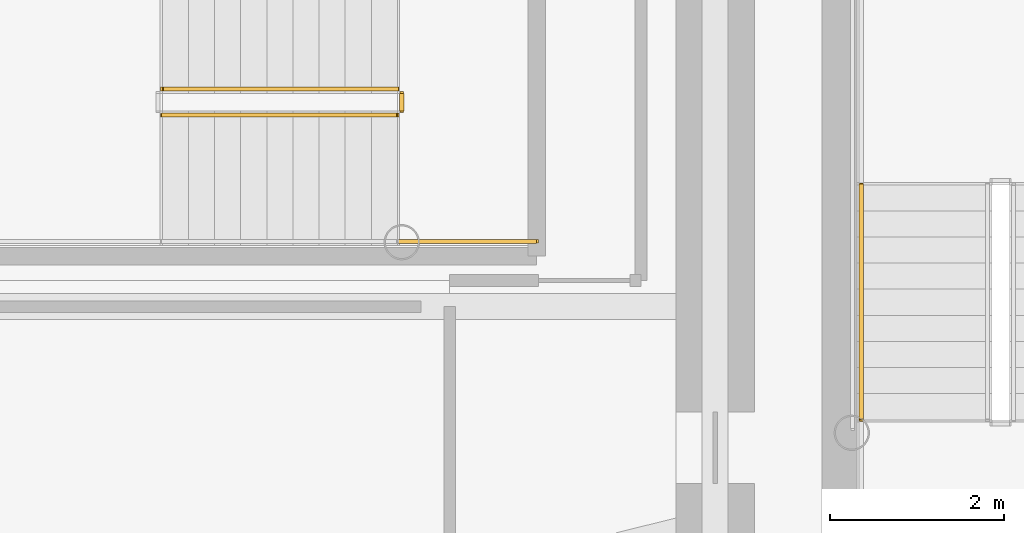
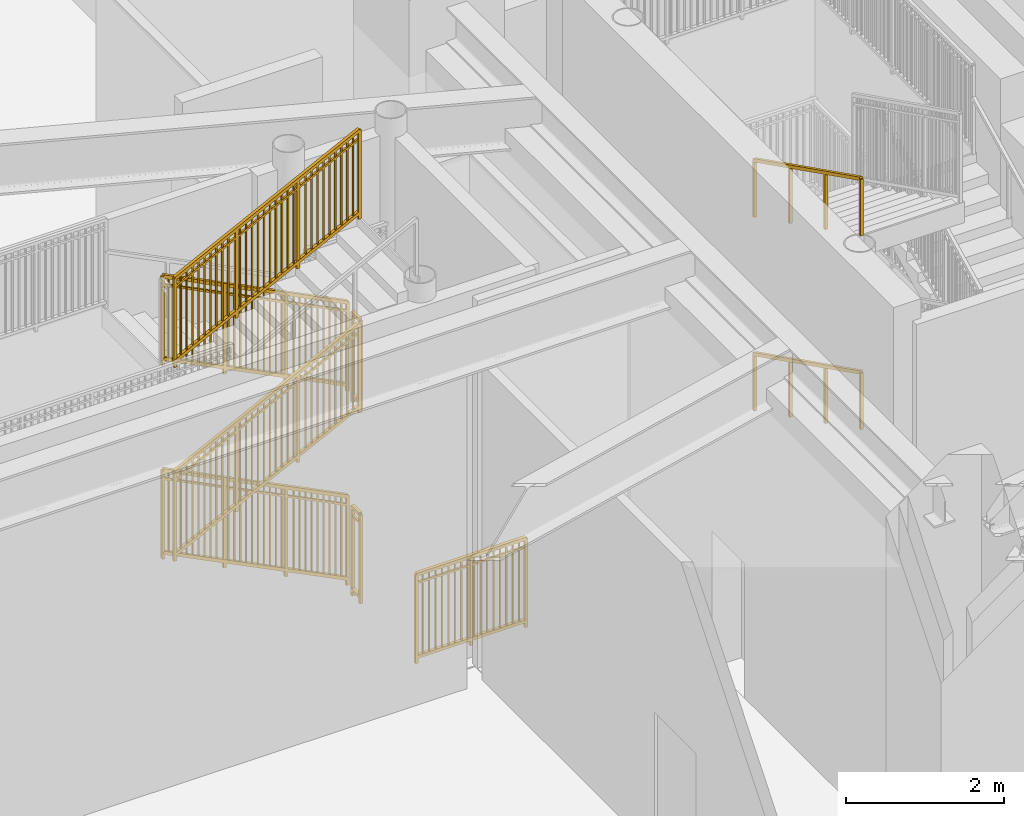
# One storey, part 35 of 46: 9 railings.
"""IFC4 building model written with IfcOpenShell, lengths in metres."""

from ifc_helpers import new_model, si_unit, direction, frame, origin, origin_2d, place, context, subcontext, project, spatial, rectangle, extrude, source, transform, mapped, material, type_object, element, save


model = new_model("IFC4")

# Units and contexts
model_context = context("Model", 3, precision=1e-05, world=origin(), true_north=direction((0.0, 1.0)))
body_context = subcontext(model_context, "Body", "Model", "MODEL_VIEW")
ifc_project = project(units=[si_unit("LENGTHUNIT", "METRE"), si_unit("AREAUNIT", "SQUARE_METRE"), si_unit("VOLUMEUNIT", "CUBIC_METRE"), si_unit("PLANEANGLEUNIT", "RADIAN"), si_unit("MASSUNIT", "GRAM", prefix="KILO")], contexts=[model_context])

# Site, building, storey
site_placement = place(None, origin())
site = spatial("IfcSite", under=ifc_project, at=site_placement, CompositionType="ELEMENT")
building_placement = place(site_placement, origin())
building = spatial("IfcBuilding", under=site, at=building_placement, Name="Linh Dai School and Residence Tower", CompositionType="ELEMENT")
storey_placement = place(building_placement, origin())
storey = spatial("IfcBuildingStorey", under=building, at=storey_placement, Name="L00", CompositionType="ELEMENT", Elevation=0.0)

# Railings
ifc_material_1 = material(Name="Brushed Stainless Steel Handrail", Category="steel")
railing_type_1 = type_object("IfcRailingType", Name="RL-ST-HANDRAIL-900", PredefinedType="HANDRAIL", material=ifc_material_1)
shared_shape_1 = source(origin(), body_context, "Body", "SweptSolid", [
    extrude(rectangle(XDim=0.048095703125, YDim=0.048095703125, at=origin_2d()), frame((0.0, 0.0, 0.8759765625), z_axis=(0.0, -0.894411015155, 0.447245945728), x_axis=(1.0, 0.0, 0.0)), (0.0, 0.0, 1.0), 3.018798828125),
    extrude(rectangle(XDim=0.0419921875, YDim=0.0419921875, at=origin_2d()), origin(), (0.0, 0.0, 1.0), 0.8759765625),
    extrude(rectangle(XDim=0.0419921875, YDim=0.0419921875, at=origin_2d()), frame((0.0, -0.89990234375, 0.449951171875)), (0.0, 0.0, 1.0), 0.8759765625),
    extrude(rectangle(XDim=0.0419921875, YDim=0.0419921875, at=origin_2d()), frame((0.0, -1.800048828125, 0.900146484375)), (0.0, 0.0, 1.0), 0.8759765625),
    extrude(rectangle(XDim=0.0419921875, YDim=0.0419921875, at=origin_2d()), frame((0.0, -2.699951171875, 1.35009765625)), (0.0, 0.0, 1.0), 0.8759765625),
])
for number, where, name in (
    (1, (27.72998046875, 28.39990234375, 1.64990234375), "L00 ST1 stair handrail 2"),
    (2, (27.72998046875, 28.39990234375, 4.64990234375), "L00 ST1 stair handrail 4"),
):
    element("IfcRailing", number, at=place(storey_placement, frame(where)), inside=storey, type_object=railing_type_1, Name=name, PredefinedType="HANDRAIL", context=body_context, shape_type="MappedRepresentation", body=[
        mapped(shared_shape_1, transform((0.0, 0.0, 0.0), x_axis=(1.0, 0.0, 0.0), y_axis=(0.0, 1.0, 0.0), z_axis=(0.0, 0.0, 1.0), scale=1.0)),
    ])
ifc_material_2 = material(Name="Structural Steel S355JR", Category="steel")
railing_type_2 = type_object("IfcRailingType", Name="RL-ST-GUARD-1400", PredefinedType="GUARDRAIL", material=ifc_material_2)
shared_shape_2 = source(origin(), body_context, "Body", "SweptSolid", [
    extrude(rectangle(XDim=0.048095703125, YDim=0.048095703125, at=origin_2d()), frame((0.0, 0.0, 1.3759765625), z_axis=(-0.894411015155, 0.0, 0.447245945728), x_axis=(0.0, -1.0, 0.0)), (0.0, 0.0, 1.0), 3.018798828125),
    extrude(rectangle(XDim=0.048095703125, YDim=0.048095703125, at=origin_2d()), frame((0.0, 0.0, 0.10009765625), z_axis=(-0.894411015155, 0.0, 0.447245945728), x_axis=(0.0, -1.0, 0.0)), (0.0, 0.0, 1.0), 3.018798828125),
    extrude(rectangle(XDim=0.030029296875, YDim=0.030029296875, at=origin_2d()), frame((0.0, 0.0, 1.239990234375), z_axis=(-0.894411015155, 0.0, 0.447245945728), x_axis=(0.0, -1.0, 0.0)), (0.0, 0.0, 1.0), 3.018798828125),
    extrude(rectangle(XDim=0.02001953125, YDim=0.02001953125, at=origin_2d()), frame((-0.087158203125, 0.0, 0.1435546875)), (0.0, 0.0, 1.0), 1.251708984375),
    extrude(rectangle(XDim=0.02001953125, YDim=0.02001953125, at=origin_2d()), frame((-0.174072265625, 0.0, 0.187255859375)), (0.0, 0.0, 1.0), 1.251708984375),
    extrude(rectangle(XDim=0.02001953125, YDim=0.02001953125, at=origin_2d()), frame((-0.26123046875, 0.0, 0.230712890625)), (0.0, 0.0, 1.0), 1.251708984375),
    extrude(rectangle(XDim=0.02001953125, YDim=0.02001953125, at=origin_2d()), frame((-0.348388671875, 0.0, 0.2744140625)), (0.0, 0.0, 1.0), 1.251708984375),
    extrude(rectangle(XDim=0.02001953125, YDim=0.02001953125, at=origin_2d()), frame((-0.435546875, 0.0, 0.31787109375)), (0.0, 0.0, 1.0), 1.251708984375),
    extrude(rectangle(XDim=0.02001953125, YDim=0.02001953125, at=origin_2d()), frame((-0.5224609375, 0.0, 0.361328125)), (0.0, 0.0, 1.0), 1.251708984375),
    extrude(rectangle(XDim=0.02001953125, YDim=0.02001953125, at=origin_2d()), frame((-0.609619140625, 0.0, 0.405029296875)), (0.0, 0.0, 1.0), 1.251708984375),
    extrude(rectangle(XDim=0.02001953125, YDim=0.02001953125, at=origin_2d()), frame((-0.69677734375, 0.0, 0.448486328125)), (0.0, 0.0, 1.0), 1.251708984375),
    extrude(rectangle(XDim=0.02001953125, YDim=0.02001953125, at=origin_2d()), frame((-0.783935546875, 0.0, 0.491943359375)), (0.0, 0.0, 1.0), 1.251708984375),
    extrude(rectangle(XDim=0.02001953125, YDim=0.02001953125, at=origin_2d()), frame((-0.9580078125, 0.0, 0.5791015625)), (0.0, 0.0, 1.0), 1.251708984375),
    extrude(rectangle(XDim=0.02001953125, YDim=0.02001953125, at=origin_2d()), frame((-1.045166015625, 0.0, 0.622802734375)), (0.0, 0.0, 1.0), 1.251708984375),
    extrude(rectangle(XDim=0.02001953125, YDim=0.02001953125, at=origin_2d()), frame((-1.13232421875, 0.0, 0.666259765625)), (0.0, 0.0, 1.0), 1.251708984375),
    extrude(rectangle(XDim=0.02001953125, YDim=0.02001953125, at=origin_2d()), frame((-1.21923828125, 0.0, 0.709716796875)), (0.0, 0.0, 1.0), 1.251708984375),
    extrude(rectangle(XDim=0.02001953125, YDim=0.02001953125, at=origin_2d()), frame((-1.306396484375, 0.0, 0.75341796875)), (0.0, 0.0, 1.0), 1.251708984375),
    extrude(rectangle(XDim=0.02001953125, YDim=0.02001953125, at=origin_2d()), frame((-1.3935546875, 0.0, 0.796875)), (0.0, 0.0, 1.0), 1.251708984375),
    extrude(rectangle(XDim=0.02001953125, YDim=0.02001953125, at=origin_2d()), frame((-1.480712890625, 0.0, 0.840576171875)), (0.0, 0.0, 1.0), 1.251708984375),
    extrude(rectangle(XDim=0.02001953125, YDim=0.02001953125, at=origin_2d()), frame((-1.567626953125, 0.0, 0.884033203125)), (0.0, 0.0, 1.0), 1.251708984375),
    extrude(rectangle(XDim=0.02001953125, YDim=0.02001953125, at=origin_2d()), frame((-1.65478515625, 0.0, 0.927490234375)), (0.0, 0.0, 1.0), 1.251708984375),
    extrude(rectangle(XDim=0.02001953125, YDim=0.02001953125, at=origin_2d()), frame((-1.741943359375, 0.0, 0.97119140625)), (0.0, 0.0, 1.0), 1.251708984375),
    extrude(rectangle(XDim=0.02001953125, YDim=0.02001953125, at=origin_2d()), frame((-1.916015625, 0.0, 1.058349609375)), (0.0, 0.0, 1.0), 1.251708984375),
    extrude(rectangle(XDim=0.02001953125, YDim=0.02001953125, at=origin_2d()), frame((-2.003173828125, 0.0, 1.101806640625)), (0.0, 0.0, 1.0), 1.251708984375),
    extrude(rectangle(XDim=0.02001953125, YDim=0.02001953125, at=origin_2d()), frame((-2.09033203125, 0.0, 1.145263671875)), (0.0, 0.0, 1.0), 1.251708984375),
    extrude(rectangle(XDim=0.02001953125, YDim=0.02001953125, at=origin_2d()), frame((-2.177490234375, 0.0, 1.18896484375)), (0.0, 0.0, 1.0), 1.251708984375),
    extrude(rectangle(XDim=0.02001953125, YDim=0.02001953125, at=origin_2d()), frame((-2.264404296875, 0.0, 1.232421875)), (0.0, 0.0, 1.0), 1.251708984375),
    extrude(rectangle(XDim=0.02001953125, YDim=0.02001953125, at=origin_2d()), frame((-2.3515625, 0.0, 1.27587890625)), (0.0, 0.0, 1.0), 1.251708984375),
    extrude(rectangle(XDim=0.02001953125, YDim=0.02001953125, at=origin_2d()), frame((-2.438720703125, 0.0, 1.319580078125)), (0.0, 0.0, 1.0), 1.251708984375),
    extrude(rectangle(XDim=0.02001953125, YDim=0.02001953125, at=origin_2d()), frame((-2.52587890625, 0.0, 1.363037109375)), (0.0, 0.0, 1.0), 1.251708984375),
    extrude(rectangle(XDim=0.02001953125, YDim=0.02001953125, at=origin_2d()), frame((-2.61279296875, 0.0, 1.40673828125)), (0.0, 0.0, 1.0), 1.251708984375),
    extrude(rectangle(XDim=0.0419921875, YDim=0.0419921875, at=origin_2d()), origin(), (0.0, 0.0, 1.0), 1.3759765625),
    extrude(rectangle(XDim=0.0419921875, YDim=0.0419921875, at=origin_2d()), frame((-0.89990234375, 0.0, 0.449951171875)), (0.0, 0.0, 1.0), 1.3759765625),
    extrude(rectangle(XDim=0.0419921875, YDim=0.0419921875, at=origin_2d()), frame((-1.800048828125, 0.0, 0.900146484375)), (0.0, 0.0, 1.0), 1.3759765625),
    extrude(rectangle(XDim=0.0419921875, YDim=0.0419921875, at=origin_2d()), frame((-2.699951171875, 0.0, 1.35009765625)), (0.0, 0.0, 1.0), 1.3759765625),
])
for number, where, name in (
    (3, (22.39990234375, 29.5, 0.14990234375), "L00 STS1 stair guard 1"),
    (4, (22.39990234375, 29.5, 3.14990234375), "L00 STS1 stair guard 10"),
):
    element("IfcRailing", number, at=place(storey_placement, frame(where)), inside=storey, type_object=railing_type_2, Name=name, PredefinedType="GUARDRAIL", context=body_context, shape_type="MappedRepresentation", body=[
        mapped(shared_shape_2, transform((0.0, 0.0, 0.0), x_axis=(1.0, 0.0, 0.0), y_axis=(0.0, 1.0, 0.0), z_axis=(0.0, 0.0, 1.0), scale=1.0)),
    ])
shared_shape_3 = source(origin(), body_context, "Body", "SweptSolid", [
    extrude(rectangle(XDim=0.048095703125, YDim=0.048095703125, at=origin_2d()), frame((0.0, 0.0, 1.3759765625), z_axis=(0.0, -1.0, 0.0), x_axis=(1.0, 0.0, 0.0)), (0.0, 0.0, 1.0), 0.199951171875),
    extrude(rectangle(XDim=0.048095703125, YDim=0.048095703125, at=origin_2d()), frame((0.0, 0.0, 0.10009765625), z_axis=(0.0, -1.0, 0.0), x_axis=(1.0, 0.0, 0.0)), (0.0, 0.0, 1.0), 0.199951171875),
    extrude(rectangle(XDim=0.030029296875, YDim=0.030029296875, at=origin_2d()), frame((0.0, 0.0, 1.239990234375), z_axis=(0.0, -1.0, 0.0), x_axis=(1.0, 0.0, 0.0)), (0.0, 0.0, 1.0), 0.199951171875),
    extrude(rectangle(XDim=0.0419921875, YDim=0.0419921875, at=origin_2d()), origin(), (0.0, 0.0, 1.0), 1.3759765625),
    extrude(rectangle(XDim=0.0419921875, YDim=0.0419921875, at=origin_2d()), frame((0.0, -0.199951171875, 0.0)), (0.0, 0.0, 1.0), 1.3759765625),
])
for number, where, name in (
    (5, (22.449951171875, 29.449951171875, 3.0), "L00 STS1 stair guard 7"),
    (6, (22.449951171875, 29.449951171875, 0.0), "L00 STS1 stair guard 16"),
):
    element("IfcRailing", number, at=place(storey_placement, frame(where)), inside=storey, type_object=railing_type_2, Name=name, PredefinedType="GUARDRAIL", context=body_context, shape_type="MappedRepresentation", body=[
        mapped(shared_shape_3, transform((0.0, 0.0, 0.0), x_axis=(1.0, 0.0, 0.0), y_axis=(0.0, 1.0, 0.0), z_axis=(0.0, 0.0, 1.0), scale=1.0)),
    ])
shared_shape_4 = source(origin(), body_context, "Body", "SweptSolid", [
    extrude(rectangle(XDim=0.048095703125, YDim=0.048095703125, at=origin_2d()), frame((0.0, 0.0, 1.3759765625), z_axis=(0.894411015155, 0.0, 0.447245945728), x_axis=(0.0, 1.0, 0.0)), (0.0, 0.0, 1.0), 3.018798828125),
    extrude(rectangle(XDim=0.048095703125, YDim=0.048095703125, at=origin_2d()), frame((0.0, 0.0, 0.10009765625), z_axis=(0.894411015155, 0.0, 0.447245945728), x_axis=(0.0, 1.0, 0.0)), (0.0, 0.0, 1.0), 3.018798828125),
    extrude(rectangle(XDim=0.030029296875, YDim=0.030029296875, at=origin_2d()), frame((0.0, 0.0, 1.239990234375), z_axis=(0.894411015155, 0.0, 0.447245945728), x_axis=(0.0, 1.0, 0.0)), (0.0, 0.0, 1.0), 3.018798828125),
    extrude(rectangle(XDim=0.02001953125, YDim=0.02001953125, at=origin_2d()), frame((0.087158203125, 0.0, 0.1435546875)), (0.0, 0.0, 1.0), 1.251708984375),
    extrude(rectangle(XDim=0.02001953125, YDim=0.02001953125, at=origin_2d()), frame((0.174072265625, 0.0, 0.187255859375)), (0.0, 0.0, 1.0), 1.251708984375),
    extrude(rectangle(XDim=0.02001953125, YDim=0.02001953125, at=origin_2d()), frame((0.26123046875, 0.0, 0.230712890625)), (0.0, 0.0, 1.0), 1.251708984375),
    extrude(rectangle(XDim=0.02001953125, YDim=0.02001953125, at=origin_2d()), frame((0.348388671875, 0.0, 0.2744140625)), (0.0, 0.0, 1.0), 1.251708984375),
    extrude(rectangle(XDim=0.02001953125, YDim=0.02001953125, at=origin_2d()), frame((0.435546875, 0.0, 0.31787109375)), (0.0, 0.0, 1.0), 1.251708984375),
    extrude(rectangle(XDim=0.02001953125, YDim=0.02001953125, at=origin_2d()), frame((0.5224609375, 0.0, 0.361328125)), (0.0, 0.0, 1.0), 1.251708984375),
    extrude(rectangle(XDim=0.02001953125, YDim=0.02001953125, at=origin_2d()), frame((0.609619140625, 0.0, 0.405029296875)), (0.0, 0.0, 1.0), 1.251708984375),
    extrude(rectangle(XDim=0.02001953125, YDim=0.02001953125, at=origin_2d()), frame((0.69677734375, 0.0, 0.448486328125)), (0.0, 0.0, 1.0), 1.251708984375),
    extrude(rectangle(XDim=0.02001953125, YDim=0.02001953125, at=origin_2d()), frame((0.783935546875, 0.0, 0.491943359375)), (0.0, 0.0, 1.0), 1.251708984375),
    extrude(rectangle(XDim=0.02001953125, YDim=0.02001953125, at=origin_2d()), frame((0.9580078125, 0.0, 0.5791015625)), (0.0, 0.0, 1.0), 1.251708984375),
    extrude(rectangle(XDim=0.02001953125, YDim=0.02001953125, at=origin_2d()), frame((1.045166015625, 0.0, 0.622802734375)), (0.0, 0.0, 1.0), 1.251708984375),
    extrude(rectangle(XDim=0.02001953125, YDim=0.02001953125, at=origin_2d()), frame((1.13232421875, 0.0, 0.666259765625)), (0.0, 0.0, 1.0), 1.251708984375),
    extrude(rectangle(XDim=0.02001953125, YDim=0.02001953125, at=origin_2d()), frame((1.21923828125, 0.0, 0.709716796875)), (0.0, 0.0, 1.0), 1.251708984375),
    extrude(rectangle(XDim=0.02001953125, YDim=0.02001953125, at=origin_2d()), frame((1.306396484375, 0.0, 0.75341796875)), (0.0, 0.0, 1.0), 1.251708984375),
    extrude(rectangle(XDim=0.02001953125, YDim=0.02001953125, at=origin_2d()), frame((1.3935546875, 0.0, 0.796875)), (0.0, 0.0, 1.0), 1.251708984375),
    extrude(rectangle(XDim=0.02001953125, YDim=0.02001953125, at=origin_2d()), frame((1.480712890625, 0.0, 0.840576171875)), (0.0, 0.0, 1.0), 1.251708984375),
    extrude(rectangle(XDim=0.02001953125, YDim=0.02001953125, at=origin_2d()), frame((1.567626953125, 0.0, 0.884033203125)), (0.0, 0.0, 1.0), 1.251708984375),
    extrude(rectangle(XDim=0.02001953125, YDim=0.02001953125, at=origin_2d()), frame((1.65478515625, 0.0, 0.927490234375)), (0.0, 0.0, 1.0), 1.251708984375),
    extrude(rectangle(XDim=0.02001953125, YDim=0.02001953125, at=origin_2d()), frame((1.741943359375, 0.0, 0.97119140625)), (0.0, 0.0, 1.0), 1.251708984375),
    extrude(rectangle(XDim=0.02001953125, YDim=0.02001953125, at=origin_2d()), frame((1.916015625, 0.0, 1.058349609375)), (0.0, 0.0, 1.0), 1.251708984375),
    extrude(rectangle(XDim=0.02001953125, YDim=0.02001953125, at=origin_2d()), frame((2.003173828125, 0.0, 1.101806640625)), (0.0, 0.0, 1.0), 1.251708984375),
    extrude(rectangle(XDim=0.02001953125, YDim=0.02001953125, at=origin_2d()), frame((2.09033203125, 0.0, 1.145263671875)), (0.0, 0.0, 1.0), 1.251708984375),
    extrude(rectangle(XDim=0.02001953125, YDim=0.02001953125, at=origin_2d()), frame((2.177490234375, 0.0, 1.18896484375)), (0.0, 0.0, 1.0), 1.251708984375),
    extrude(rectangle(XDim=0.02001953125, YDim=0.02001953125, at=origin_2d()), frame((2.264404296875, 0.0, 1.232421875)), (0.0, 0.0, 1.0), 1.251708984375),
    extrude(rectangle(XDim=0.02001953125, YDim=0.02001953125, at=origin_2d()), frame((2.3515625, 0.0, 1.27587890625)), (0.0, 0.0, 1.0), 1.251708984375),
    extrude(rectangle(XDim=0.02001953125, YDim=0.02001953125, at=origin_2d()), frame((2.438720703125, 0.0, 1.319580078125)), (0.0, 0.0, 1.0), 1.251708984375),
    extrude(rectangle(XDim=0.02001953125, YDim=0.02001953125, at=origin_2d()), frame((2.52587890625, 0.0, 1.363037109375)), (0.0, 0.0, 1.0), 1.251708984375),
    extrude(rectangle(XDim=0.02001953125, YDim=0.02001953125, at=origin_2d()), frame((2.61279296875, 0.0, 1.40673828125)), (0.0, 0.0, 1.0), 1.251708984375),
    extrude(rectangle(XDim=0.0419921875, YDim=0.0419921875, at=origin_2d()), origin(), (0.0, 0.0, 1.0), 1.3759765625),
    extrude(rectangle(XDim=0.0419921875, YDim=0.0419921875, at=origin_2d()), frame((0.89990234375, 0.0, 0.449951171875)), (0.0, 0.0, 1.0), 1.3759765625),
    extrude(rectangle(XDim=0.0419921875, YDim=0.0419921875, at=origin_2d()), frame((1.800048828125, 0.0, 0.900146484375)), (0.0, 0.0, 1.0), 1.3759765625),
    extrude(rectangle(XDim=0.0419921875, YDim=0.0419921875, at=origin_2d()), frame((2.699951171875, 0.0, 1.35009765625)), (0.0, 0.0, 1.0), 1.3759765625),
])
for number, where, name in (
    (7, (19.699951171875, 29.199951171875, 1.64990234375), "L00 STS1 stair guard 6"),
    (8, (19.699951171875, 29.199951171875, 4.64990234375), "L00 STS1 stair guard 15"),
):
    element("IfcRailing", number, at=place(storey_placement, frame(where)), inside=storey, type_object=railing_type_2, Name=name, PredefinedType="GUARDRAIL", context=body_context, shape_type="MappedRepresentation", body=[
        mapped(shared_shape_4, transform((0.0, 0.0, 0.0), x_axis=(1.0, 0.0, 0.0), y_axis=(0.0, 1.0, 0.0), z_axis=(0.0, 0.0, 1.0), scale=1.0)),
    ])
shared_shape_5 = source(origin(), body_context, "Body", "SweptSolid", [
    extrude(rectangle(XDim=0.048095703125, YDim=0.048095703125, at=origin_2d()), frame((0.0, 0.0, 1.3759765625), z_axis=(-1.0, 0.0, 0.0), x_axis=(0.0, -1.0, 0.0)), (0.0, 0.0, 1.0), 1.60009765625),
    extrude(rectangle(XDim=0.048095703125, YDim=0.048095703125, at=origin_2d()), frame((0.0, 0.0, 0.10009765625), z_axis=(-1.0, 0.0, 0.0), x_axis=(0.0, -1.0, 0.0)), (0.0, 0.0, 1.0), 1.60009765625),
    extrude(rectangle(XDim=0.030029296875, YDim=0.030029296875, at=origin_2d()), frame((0.0, 0.0, 1.239990234375), z_axis=(-1.0, 0.0, 0.0), x_axis=(0.0, -1.0, 0.0)), (0.0, 0.0, 1.0), 1.60009765625),
    extrude(rectangle(XDim=0.02001953125, YDim=0.02001953125, at=origin_2d()), frame((-0.09423828125, 0.0, 0.10009765625)), (0.0, 0.0, 1.0), 1.251708984375),
    extrude(rectangle(XDim=0.02001953125, YDim=0.02001953125, at=origin_2d()), frame((-0.188232421875, 0.0, 0.10009765625)), (0.0, 0.0, 1.0), 1.251708984375),
    extrude(rectangle(XDim=0.02001953125, YDim=0.02001953125, at=origin_2d()), frame((-0.282470703125, 0.0, 0.10009765625)), (0.0, 0.0, 1.0), 1.251708984375),
    extrude(rectangle(XDim=0.02001953125, YDim=0.02001953125, at=origin_2d()), frame((-0.37646484375, 0.0, 0.10009765625)), (0.0, 0.0, 1.0), 1.251708984375),
    extrude(rectangle(XDim=0.02001953125, YDim=0.02001953125, at=origin_2d()), frame((-0.470703125, 0.0, 0.10009765625)), (0.0, 0.0, 1.0), 1.251708984375),
    extrude(rectangle(XDim=0.02001953125, YDim=0.02001953125, at=origin_2d()), frame((-0.564697265625, 0.0, 0.10009765625)), (0.0, 0.0, 1.0), 1.251708984375),
    extrude(rectangle(XDim=0.02001953125, YDim=0.02001953125, at=origin_2d()), frame((-0.658935546875, 0.0, 0.10009765625)), (0.0, 0.0, 1.0), 1.251708984375),
    extrude(rectangle(XDim=0.02001953125, YDim=0.02001953125, at=origin_2d()), frame((-0.7529296875, 0.0, 0.10009765625)), (0.0, 0.0, 1.0), 1.251708984375),
    extrude(rectangle(XDim=0.02001953125, YDim=0.02001953125, at=origin_2d()), frame((-0.84716796875, 0.0, 0.10009765625)), (0.0, 0.0, 1.0), 1.251708984375),
    extrude(rectangle(XDim=0.02001953125, YDim=0.02001953125, at=origin_2d()), frame((-0.941162109375, 0.0, 0.10009765625)), (0.0, 0.0, 1.0), 1.251708984375),
    extrude(rectangle(XDim=0.02001953125, YDim=0.02001953125, at=origin_2d()), frame((-1.035400390625, 0.0, 0.10009765625)), (0.0, 0.0, 1.0), 1.251708984375),
    extrude(rectangle(XDim=0.02001953125, YDim=0.02001953125, at=origin_2d()), frame((-1.12939453125, 0.0, 0.10009765625)), (0.0, 0.0, 1.0), 1.251708984375),
    extrude(rectangle(XDim=0.02001953125, YDim=0.02001953125, at=origin_2d()), frame((-1.2236328125, 0.0, 0.10009765625)), (0.0, 0.0, 1.0), 1.251708984375),
    extrude(rectangle(XDim=0.02001953125, YDim=0.02001953125, at=origin_2d()), frame((-1.317626953125, 0.0, 0.10009765625)), (0.0, 0.0, 1.0), 1.251708984375),
    extrude(rectangle(XDim=0.02001953125, YDim=0.02001953125, at=origin_2d()), frame((-1.411865234375, 0.0, 0.10009765625)), (0.0, 0.0, 1.0), 1.251708984375),
    extrude(rectangle(XDim=0.02001953125, YDim=0.02001953125, at=origin_2d()), frame((-1.505859375, 0.0, 0.10009765625)), (0.0, 0.0, 1.0), 1.251708984375),
    extrude(rectangle(XDim=0.0419921875, YDim=0.0419921875, at=origin_2d()), origin(), (0.0, 0.0, 1.0), 1.3759765625),
    extrude(rectangle(XDim=0.0419921875, YDim=0.0419921875, at=origin_2d()), frame((-0.800048828125, 0.0, 0.0)), (0.0, 0.0, 1.0), 1.3759765625),
    extrude(rectangle(XDim=0.0419921875, YDim=0.0419921875, at=origin_2d()), frame((-1.60009765625, 0.0, 0.0)), (0.0, 0.0, 1.0), 1.3759765625),
])
railing_placement = place(storey_placement, frame((24.0, 27.75, 0.0)))
element("IfcRailing", 9, at=railing_placement, inside=storey, type_object=railing_type_2, Name="L00 STS1 stair guard 18", PredefinedType="GUARDRAIL", context=body_context, shape_type="MappedRepresentation", body=[
    mapped(shared_shape_5, transform((0.0, 0.0, 0.0), x_axis=(1.0, 0.0, 0.0), y_axis=(0.0, 1.0, 0.0), z_axis=(0.0, 0.0, 1.0), scale=1.0)),
])

save(model, "model.ifc")
